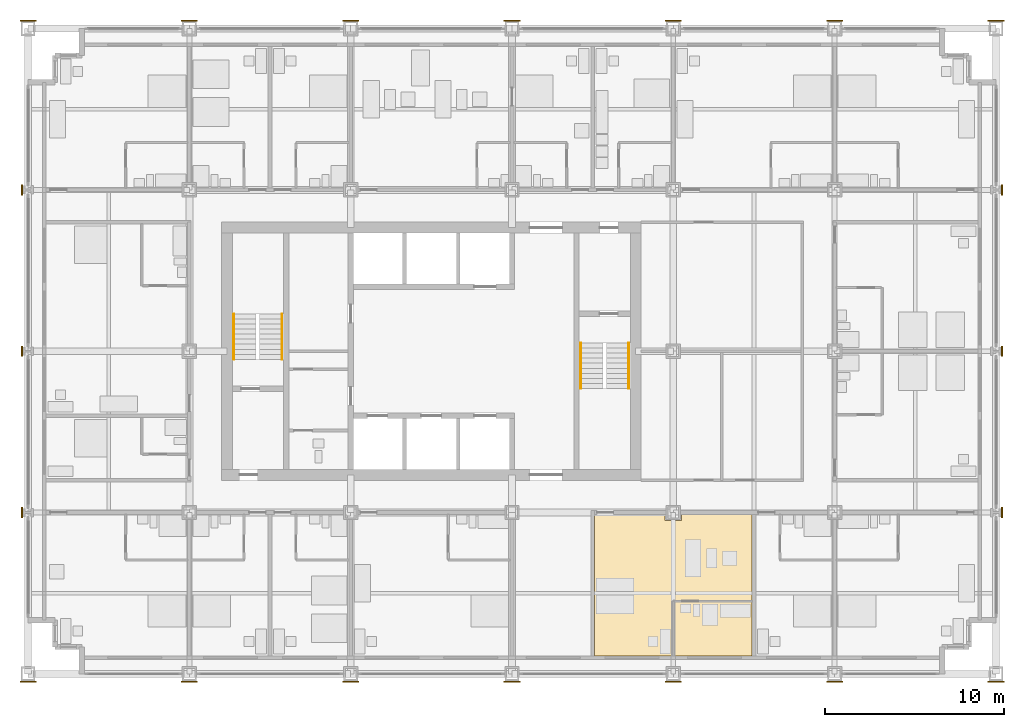
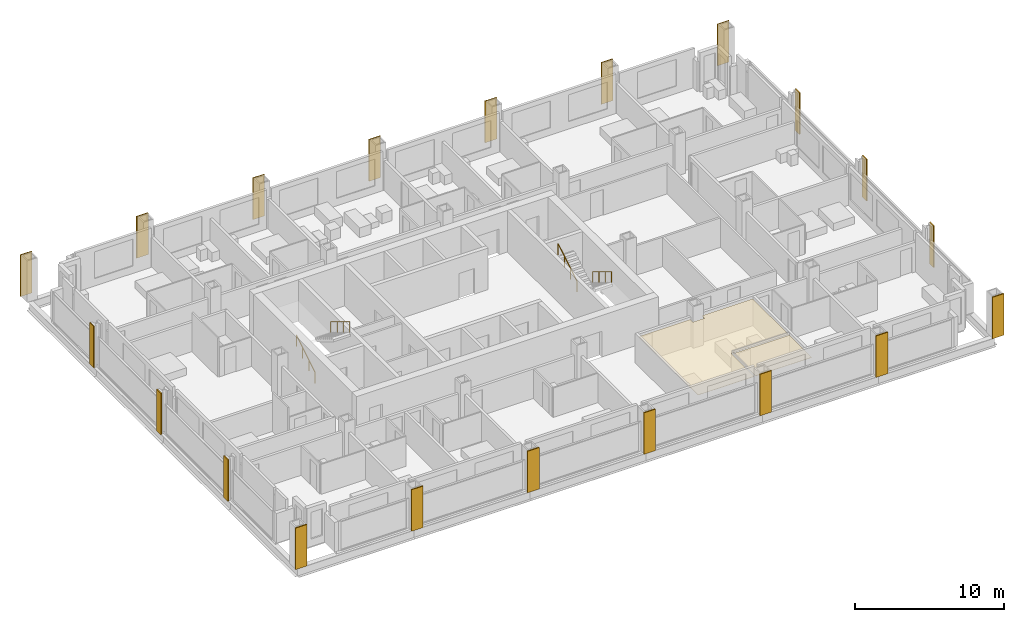
# One storey, part 16 of 18: 22 coverings, 4 railings.
"""IFC4 building model written with IfcOpenShell, lengths in metres."""

from ifc_helpers import new_model, si_unit, direction, frame, origin, origin_2d, place, context, subcontext, project, spatial, polyline, rectangle, circle, outline, extrude, material, layer, layer_set, type_object, element, save


model = new_model("IFC4")

# Units and contexts
model_context = context("Model", 3, precision=1e-05, world=origin(), true_north=direction((0.0, 1.0)))
body_context = subcontext(model_context, "Body", "Model", "MODEL_VIEW")
ifc_project = project(units=[si_unit("LENGTHUNIT", "METRE"), si_unit("AREAUNIT", "SQUARE_METRE"), si_unit("VOLUMEUNIT", "CUBIC_METRE"), si_unit("PLANEANGLEUNIT", "RADIAN"), si_unit("MASSUNIT", "GRAM", prefix="KILO")], contexts=[model_context])

# Site, building, storey
site_placement = place(None, origin())
site = spatial("IfcSite", under=ifc_project, at=site_placement, CompositionType="ELEMENT")
building_placement = place(site_placement, origin())
building = spatial("IfcBuilding", under=site, at=building_placement, Name="Loomwork Tower", CompositionType="ELEMENT")
storey_placement = place(building_placement, frame((0.0, 0.0, 31.39990234375)))
storey = spatial("IfcBuildingStorey", under=building, at=storey_placement, Name="L06", CompositionType="ELEMENT", Elevation=31.39990234375)

# Railings
ifc_material_1 = material(Name="Stainless steel handrail", Category="steel")
railing_type = type_object("IfcRailingType", Name="Handrail 900", PredefinedType="HANDRAIL", material=ifc_material_1)
railing_1_placement = place(storey_placement, frame((11.485107421875, 17.550048828125, 0.170166015625)))
element("IfcRailing", 1, at=railing_1_placement, inside=storey, type_object=railing_type, Name="Stair A handrail flight 1 L06", PredefinedType="HANDRAIL", context=body_context, shape_type="SweptSolid", body=[
    extrude(circle(Radius=0.02392578125, at=origin_2d()), frame((0.0, 0.0, 0.8759765625), z_axis=(0.0, 0.85478489116, 0.518982456201), x_axis=(-1.0, 0.0, 0.0)), (0.0, 0.0, 1.0), 2.9482421875),
    extrude(circle(Radius=0.02099609375, at=origin_2d()), origin(), (0.0, 0.0, 1.0), 0.851806640625),
    extrude(circle(Radius=0.02099609375, at=origin_2d()), frame((0.0, 0.840087890625, 0.510009765625)), (0.0, 0.0, 1.0), 0.851806640625),
    extrude(circle(Radius=0.02099609375, at=origin_2d()), frame((0.0, 1.679931640625, 1.02001953125)), (0.0, 0.0, 1.0), 0.851806640625),
    extrude(circle(Radius=0.02099609375, at=origin_2d()), frame((0.0, 2.52001953125, 1.530029296875)), (0.0, 0.0, 1.0), 0.851806640625),
])
for number, where, name in (
    (2, (14.1650390625, 20.070068359375, 1.8701171875), "Stair A handrail flight 2 L06"),
    (3, (33.514892578125, 18.449951171875, 0.170166015625), "Stair B handrail flight 1 L06"),
):
    element("IfcRailing", number, at=place(storey_placement, frame(where)), inside=storey, type_object=railing_type, Name=name, PredefinedType="HANDRAIL", context=body_context, shape_type="SweptSolid", body=[
        extrude(circle(Radius=0.02392578125, at=origin_2d()), frame((0.0, 0.0, 0.8759765625), z_axis=(0.0, -0.85478489116, 0.518982456201), x_axis=(1.0, 0.0, 0.0)), (0.0, 0.0, 1.0), 2.9482421875),
        extrude(circle(Radius=0.02099609375, at=origin_2d()), origin(), (0.0, 0.0, 1.0), 0.851806640625),
        extrude(circle(Radius=0.02099609375, at=origin_2d()), frame((0.0, -0.840087890625, 0.510009765625)), (0.0, 0.0, 1.0), 0.851806640625),
        extrude(circle(Radius=0.02099609375, at=origin_2d()), frame((0.0, -1.679931640625, 1.02001953125)), (0.0, 0.0, 1.0), 0.851806640625),
        extrude(circle(Radius=0.02099609375, at=origin_2d()), frame((0.0, -2.52001953125, 1.530029296875)), (0.0, 0.0, 1.0), 0.851806640625),
    ])
railing_2_placement = place(storey_placement, frame((30.8349609375, 15.929931640625, 1.8701171875)))
element("IfcRailing", 4, at=railing_2_placement, inside=storey, type_object=railing_type, Name="Stair B handrail flight 2 L06", PredefinedType="HANDRAIL", context=body_context, shape_type="SweptSolid", body=[
    extrude(circle(Radius=0.02392578125, at=origin_2d()), frame((0.0, 0.0, 0.8759765625), z_axis=(0.0, 0.85478489116, 0.518982456201), x_axis=(-1.0, 0.0, 0.0)), (0.0, 0.0, 1.0), 2.9482421875),
    extrude(circle(Radius=0.02099609375, at=origin_2d()), origin(), (0.0, 0.0, 1.0), 0.851806640625),
    extrude(circle(Radius=0.02099609375, at=origin_2d()), frame((0.0, 0.840087890625, 0.510009765625)), (0.0, 0.0, 1.0), 0.851806640625),
    extrude(circle(Radius=0.02099609375, at=origin_2d()), frame((0.0, 1.679931640625, 1.02001953125)), (0.0, 0.0, 1.0), 0.851806640625),
    extrude(circle(Radius=0.02099609375, at=origin_2d()), frame((0.0, 2.52001953125, 1.530029296875)), (0.0, 0.0, 1.0), 0.851806640625),
])

# Coverings
ifc_material_2 = material(Name="Limestone", Category="masonry")
ifc_layer_1 = layer(ifc_material_2, 0.080078125)
ifc_layer_set_1 = layer_set([ifc_layer_1], Name="Limestone pier facing 80")
covering_type_1 = type_object("IfcCoveringType", Name="Limestone pier facing 80", PredefinedType="CLADDING", material=ifc_layer_set_1)
covering_1_placement = place(storey_placement, frame((0.0, -0.43994140625, 0.000244140625), z_axis=(0.0, 0.0, 1.0), x_axis=(1.0, 0.0, 0.0)))
element("IfcCovering", 5, at=covering_1_placement, inside=storey, type_object=covering_type_1, Name="Pier facing D/2 L06", PredefinedType="CLADDING", context=body_context, shape_type="SweptSolid", body=[
    extrude(rectangle(XDim=0.89990234375, YDim=0.080078125, at=origin_2d()), origin(), (0.0, 0.0, 1.0), 3.39990234375),
])
for number, where, z_axis, x_axis, name in (
    (6, (-0.339599609375, 9.0, 0.000244140625), (0.0, 0.0, 1.0), (1.0, 0.0, 0.0), "Pier facing E/2 L06"),
    (7, (-0.339599609375, 18.0, 0.000244140625), (0.0, 0.0, 1.0), (1.0, 0.0, 0.0), "Pier facing F/2 L06"),
    (8, (-0.339599609375, 27.0, 0.000244140625), (0.0, 0.0, 1.0), (1.0, 0.0, 0.0), "Pier facing G/2 L06"),
):
    element("IfcCovering", number, at=place(storey_placement, frame(where, z_axis=z_axis, x_axis=x_axis)), inside=storey, type_object=covering_type_1, Name=name, PredefinedType="CLADDING", context=body_context, shape_type="SweptSolid", body=[
        extrude(rectangle(XDim=0.080078125, YDim=0.577392578125, at=origin_2d()), origin(), (0.0, 0.0, 1.0), 3.39990234375),
    ])
for number, where, z_axis, x_axis, name in (
    (9, (0.0, 36.43994140625, 0.000244140625), (0.0, 0.0, 1.0), (1.0, 0.0, 0.0), "Pier facing H/2 L06"),
    (10, (9.0, -0.43994140625, 0.000244140625), (0.0, 0.0, 1.0), (1.0, 0.0, 0.0), "Pier facing D/3 L06"),
    (11, (9.0, 36.43994140625, 0.000244140625), (0.0, 0.0, 1.0), (1.0, 0.0, 0.0), "Pier facing H/3 L06"),
    (12, (18.0, -0.43994140625, 0.000244140625), (0.0, 0.0, 1.0), (1.0, 0.0, 0.0), "Pier facing D/4 L06"),
    (13, (18.0, 36.43994140625, 0.000244140625), (0.0, 0.0, 1.0), (1.0, 0.0, 0.0), "Pier facing H/4 L06"),
    (14, (27.0, -0.43994140625, 0.000244140625), (0.0, 0.0, 1.0), (1.0, 0.0, 0.0), "Pier facing D/5 L06"),
    (15, (27.0, 36.43994140625, 0.000244140625), (0.0, 0.0, 1.0), (1.0, 0.0, 0.0), "Pier facing H/5 L06"),
    (16, (36.0, -0.43994140625, 0.000244140625), (0.0, 0.0, 1.0), (1.0, 0.0, 0.0), "Pier facing D/6 L06"),
    (17, (36.0, 36.43994140625, 0.000244140625), (0.0, 0.0, 1.0), (1.0, 0.0, 0.0), "Pier facing H/6 L06"),
    (18, (45.0, -0.43994140625, 0.000244140625), (0.0, 0.0, 1.0), (1.0, 0.0, 0.0), "Pier facing D/7 L06"),
    (19, (45.0, 36.43994140625, 0.000244140625), (0.0, 0.0, 1.0), (1.0, 0.0, 0.0), "Pier facing H/7 L06"),
    (20, (54.0, -0.43994140625, 0.000244140625), (0.0, 0.0, 1.0), (1.0, 0.0, 0.0), "Pier facing D/8 L06"),
):
    element("IfcCovering", number, at=place(storey_placement, frame(where, z_axis=z_axis, x_axis=x_axis)), inside=storey, type_object=covering_type_1, Name=name, PredefinedType="CLADDING", context=body_context, shape_type="SweptSolid", body=[
        extrude(rectangle(XDim=0.89990234375, YDim=0.080078125, at=origin_2d()), origin(), (0.0, 0.0, 1.0), 3.39990234375),
    ])
for number, where, z_axis, x_axis, name in (
    (21, (54.339599609375, 9.0, 0.000244140625), (0.0, 0.0, 1.0), (1.0, 0.0, 0.0), "Pier facing E/8 L06"),
    (22, (54.339599609375, 18.0, 0.000244140625), (0.0, 0.0, 1.0), (1.0, 0.0, 0.0), "Pier facing F/8 L06"),
    (23, (54.339599609375, 27.0, 0.000244140625), (0.0, 0.0, 1.0), (1.0, 0.0, 0.0), "Pier facing G/8 L06"),
):
    element("IfcCovering", number, at=place(storey_placement, frame(where, z_axis=z_axis, x_axis=x_axis)), inside=storey, type_object=covering_type_1, Name=name, PredefinedType="CLADDING", context=body_context, shape_type="SweptSolid", body=[
        extrude(rectangle(XDim=0.080078125, YDim=0.577392578125, at=origin_2d()), origin(), (0.0, 0.0, 1.0), 3.39990234375),
    ])
covering_2_placement = place(storey_placement, frame((54.0, 36.43994140625, 0.000244140625), z_axis=(0.0, 0.0, 1.0), x_axis=(1.0, 0.0, 0.0)))
element("IfcCovering", 24, at=covering_2_placement, inside=storey, type_object=covering_type_1, Name="Pier facing H/8 L06", PredefinedType="CLADDING", context=body_context, shape_type="SweptSolid", body=[
    extrude(rectangle(XDim=0.89990234375, YDim=0.080078125, at=origin_2d()), origin(), (0.0, 0.0, 1.0), 3.39990234375),
])
ifc_material_3 = material(Name="Mineral fibre acoustic tile on suspension grid")
ifc_layer_2 = layer(ifc_material_3, 0.02490234375)
ifc_layer_set_2 = layer_set([ifc_layer_2], Name="Suspended acoustic ceiling")
covering_type_2 = type_object("IfcCoveringType", Name="Suspended acoustic ceiling", PredefinedType="CEILING", material=ifc_layer_set_2)
covering_3_placement = place(storey_placement, frame((0.0, 0.0, 2.175048828125)))
element("IfcCovering", 25, at=covering_3_placement, inside=storey, type_object=covering_type_2, Name="Ceiling Spa bathroom L06", PredefinedType="CEILING", context=body_context, shape_type="SweptSolid", body=[
    extrude(outline(polyline([(40.39990234375, 4.0), (40.39990234375, 1.0), (36.050048828125, 1.0), (36.050048828125, 4.0), (40.39990234375, 4.0)])), origin(), (0.0, 0.0, 1.0), 0.025146484375),
])
covering_4_placement = place(storey_placement, frame((0.0, 0.0, 2.175048828125)))
element("IfcCovering", 26, at=covering_4_placement, inside=storey, type_object=covering_type_2, Name="Ceiling Spa suite L06", PredefinedType="CEILING", context=body_context, shape_type="SweptSolid", body=[
    extrude(outline(polyline([(35.550048828125, 8.89990234375), (35.550048828125, 8.550048828125), (36.449951171875, 8.550048828125), (36.449951171875, 8.89990234375), (40.39990234375, 8.89990234375), (40.39990234375, 4.10009765625), (35.949951171875, 4.10009765625), (35.949951171875, 1.0), (31.60009765625, 1.0), (31.60009765625, 8.89990234375), (35.550048828125, 8.89990234375)])), origin(), (0.0, 0.0, 1.0), 0.025146484375),
])

save(model, "model.ifc")
